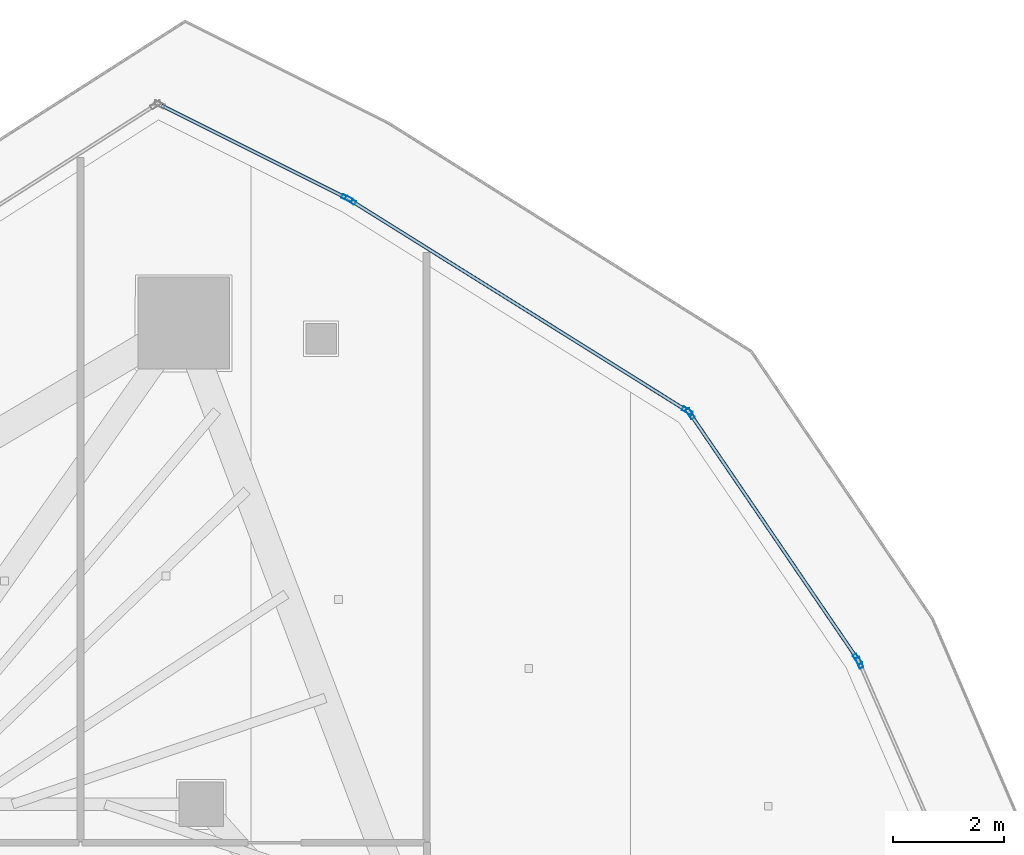
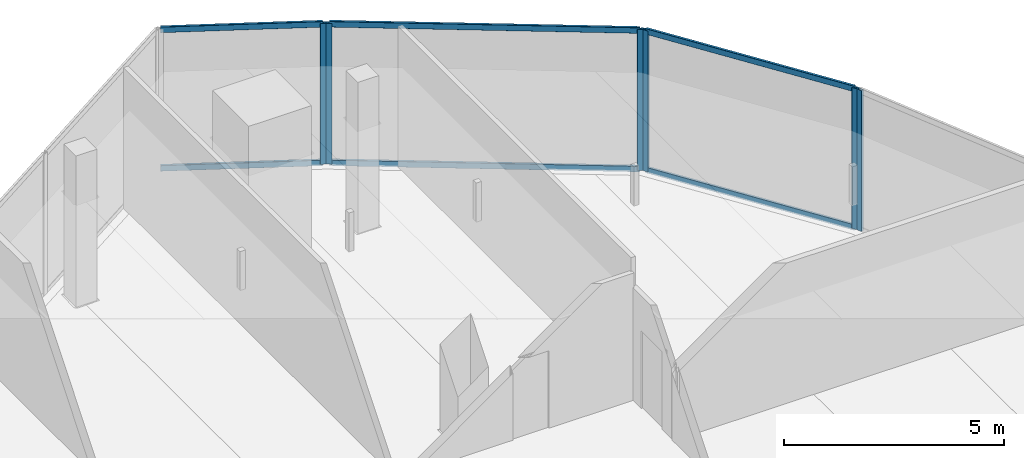
# One storey, part 21 of 36: 12 members, 4 elements without a shape of their own.
"""IFC4 building model written with IfcOpenShell, lengths in metres."""

from ifc_helpers import new_model, si_unit, direction, frame, origin, origin_2d, place, context, subcontext, project, spatial, hollow_rectangle, extrude, material, layer, layer_set, material_profile, profile_set, type_object, element, aggregate, save


model = new_model("IFC4")

# Units and contexts
model_context = context("Model", 3, precision=1e-05, world=origin(), true_north=direction((0.0, 1.0)))
body_context = subcontext(model_context, "Body", "Model", "MODEL_VIEW")
ifc_project = project(units=[si_unit("LENGTHUNIT", "METRE"), si_unit("AREAUNIT", "SQUARE_METRE"), si_unit("VOLUMEUNIT", "CUBIC_METRE"), si_unit("PLANEANGLEUNIT", "RADIAN"), si_unit("MASSUNIT", "GRAM", prefix="KILO")], contexts=[model_context])

# Site, building, storey
site_placement = place(None, origin())
site = spatial("IfcSite", under=ifc_project, at=site_placement, CompositionType="ELEMENT")
building_placement = place(site_placement, origin())
building = spatial("IfcBuilding", under=site, at=building_placement, Name="Qorvath Tower", CompositionType="ELEMENT")
storey_placement = place(building_placement, frame((0.0, 0.0, 272.39990234375)))
storey = spatial("IfcBuildingStorey", under=building, at=storey_placement, Name="L63", CompositionType="ELEMENT", Elevation=272.39990234375)

# Curtain wall, member
ifc_material_1 = material(Name="Anodised aluminium and triple low-E glass", Category="aluminium")
ifc_layer = layer(ifc_material_1, 0.179931640625)
ifc_layer_set = layer_set([ifc_layer], Name="CW-SYS-4")
curtain_wall_type = type_object("IfcCurtainWallType", Name="CW-SYS-4", PredefinedType="NOTDEFINED", material=ifc_layer_set)
curtain_wall_1_placement = place(storey_placement, origin())
curtain_wall_1 = element("IfcCurtainWall", 1, at=curtain_wall_1_placement, inside=storey, type_object=curtain_wall_type, Name="Curtain Wall CW-4 CW-T-L63-12.1", PredefinedType="NOTDEFINED")
ifc_material_2 = material(Name="Anodised aluminium 6063-T6", Category="aluminium")
ifc_material_profile_1 = material_profile(ifc_material_2, hollow_rectangle(XDim=0.074951171875, YDim=0.199951171875, WallThickness=0.00390625, InnerFilletRadius=0.00390625, OuterFilletRadius=0.008056640625, at=origin_2d()), Name="CWM 200x75")
ifc_profile_set_1 = profile_set([ifc_material_profile_1], Name="Anodised aluminium 6063-T6")
member_type_1 = type_object("IfcMemberType", Name="CWM-200", PredefinedType="MULLION", material=ifc_profile_set_1)
member_1_placement = place(storey_placement, frame((-5.365966796875, 13.994384765625, 0.0), z_axis=(0.0, 0.0, 1.0), x_axis=(-0.91655883173, -0.399899872441, 0.0)))
member_1 = element("IfcMember", 2, at=member_1_placement, type_object=member_type_1, Name="CW-4 mullion 2", PredefinedType="MULLION", context=body_context, shape_type="SweptSolid", body=[
    extrude(hollow_rectangle(XDim=0.074951171875, YDim=0.199951171875, WallThickness=0.00390625, InnerFilletRadius=0.00390625, OuterFilletRadius=0.008056640625, at=origin_2d()), origin(), (0.0, 0.0, 1.0), 3.91015625),
])
aggregate(curtain_wall_1, [member_1])

# Curtain wall, members
curtain_wall_2_placement = place(storey_placement, origin())
curtain_wall_2 = element("IfcCurtainWall", 3, at=curtain_wall_2_placement, inside=storey, type_object=curtain_wall_type, Name="Curtain Wall CW-4 CW-T-L63-13.1", PredefinedType="NOTDEFINED")
member_2_placement = place(storey_placement, frame((-5.402099609375, 14.059814453125, 0.0), z_axis=(0.0, 0.0, 1.0), x_axis=(-0.826318799643, -0.56320266455, 0.0)))
member_2 = element("IfcMember", 4, at=member_2_placement, type_object=member_type_1, Name="CW-4 mullion 1", PredefinedType="MULLION", context=body_context, shape_type="SweptSolid", body=[
    extrude(hollow_rectangle(XDim=0.074951171875, YDim=0.199951171875, WallThickness=0.00390625, InnerFilletRadius=0.00390625, OuterFilletRadius=0.008056640625, at=origin_2d()), origin(), (0.0, 0.0, 1.0), 3.91015625),
])
member_3_placement = place(storey_placement, frame((-8.407958984375, 18.47021484375, 0.0), z_axis=(0.0, 0.0, 1.0), x_axis=(-0.826318799643, -0.56320266455, 0.0)))
member_3 = element("IfcMember", 5, at=member_3_placement, type_object=member_type_1, Name="CW-4 mullion 2", PredefinedType="MULLION", context=body_context, shape_type="SweptSolid", body=[
    extrude(hollow_rectangle(XDim=0.074951171875, YDim=0.199951171875, WallThickness=0.00390625, InnerFilletRadius=0.00390625, OuterFilletRadius=0.008056640625, at=origin_2d()), origin(), (0.0, 0.0, 1.0), 3.91015625),
])

curtain_wall_3_placement = place(storey_placement, origin())
curtain_wall_3 = element("IfcCurtainWall", 6, at=curtain_wall_3_placement, inside=storey, type_object=curtain_wall_type, Name="Curtain Wall CW-4 CW-T-L63-14.1", PredefinedType="NOTDEFINED")
member_4_placement = place(storey_placement, frame((-8.4609375, 18.52099609375, 0.0), z_axis=(0.0, 0.0, 1.0), x_axis=(-0.530362503391, -0.84777096848, 0.0)))
member_4 = element("IfcMember", 7, at=member_4_placement, type_object=member_type_1, Name="CW-4 mullion 1", PredefinedType="MULLION", context=body_context, shape_type="SweptSolid", body=[
    extrude(hollow_rectangle(XDim=0.074951171875, YDim=0.199951171875, WallThickness=0.00390625, InnerFilletRadius=0.00390625, OuterFilletRadius=0.008056640625, at=origin_2d()), origin(), (0.0, 0.0, 1.0), 3.91015625),
])
member_5_placement = place(storey_placement, frame((-14.51708984375, 22.309814453125, 0.0), z_axis=(0.0, 0.0, 1.0), x_axis=(-0.530362503391, -0.84777096848, 0.0)))
member_5 = element("IfcMember", 8, at=member_5_placement, type_object=member_type_1, Name="CW-4 mullion 2", PredefinedType="MULLION", context=body_context, shape_type="SweptSolid", body=[
    extrude(hollow_rectangle(XDim=0.074951171875, YDim=0.199951171875, WallThickness=0.00390625, InnerFilletRadius=0.00390625, OuterFilletRadius=0.008056640625, at=origin_2d()), origin(), (0.0, 0.0, 1.0), 3.91015625),
])

# Curtain wall, member
curtain_wall_4_placement = place(storey_placement, origin())
curtain_wall_4 = element("IfcCurtainWall", 9, at=curtain_wall_4_placement, inside=storey, type_object=curtain_wall_type, Name="Curtain Wall CW-4 CW-T-L63-15.1", PredefinedType="NOTDEFINED")
member_6_placement = place(storey_placement, frame((-14.582275390625, 22.346435546875, 0.0), z_axis=(0.0, 0.0, 1.0), x_axis=(-0.447244838324, -0.894411568906, 0.0)))
member_6 = element("IfcMember", 10, at=member_6_placement, type_object=member_type_1, Name="CW-4 mullion 1", PredefinedType="MULLION", context=body_context, shape_type="SweptSolid", body=[
    extrude(hollow_rectangle(XDim=0.074951171875, YDim=0.199951171875, WallThickness=0.00390625, InnerFilletRadius=0.00390625, OuterFilletRadius=0.008056640625, at=origin_2d()), origin(), (0.0, 0.0, 1.0), 3.91015625),
])

# Member
ifc_material_3 = material(Name="Anodised aluminium 6063-T6", Category="aluminium")
ifc_material_profile_2 = material_profile(ifc_material_3, hollow_rectangle(XDim=0.06494140625, YDim=0.159912109375, WallThickness=0.00341796875, InnerFilletRadius=0.00341796875, OuterFilletRadius=0.007080078125, at=origin_2d()), Name="CWT 160x65")
ifc_profile_set_2 = profile_set([ifc_material_profile_2], Name="Anodised aluminium 6063-T6")
member_type_2 = type_object("IfcMemberType", Name="CWT-160", PredefinedType="USERDEFINED", material=ifc_profile_set_2)
member_7_placement = place(storey_placement, frame((-5.423095703125, 14.0908203125, 0.032470703125), z_axis=(-0.563214455362, 0.826310763134, 0.0), x_axis=(-0.826310763134, -0.563214455362, 0.0)))
member_7 = element("IfcMember", 11, at=member_7_placement, type_object=member_type_2, Name="CW-4 transom 1.1", ObjectType="TRANSOM", PredefinedType="USERDEFINED", context=body_context, shape_type="SweptSolid", body=[
    extrude(hollow_rectangle(XDim=0.06494140625, YDim=0.159912109375, WallThickness=0.00341796875, InnerFilletRadius=0.00341796875, OuterFilletRadius=0.007080078125, at=origin_2d()), origin(), (0.0, 0.0, 1.0), 5.262451171875),
])

member_8_placement = place(storey_placement, frame((-5.423095703125, 14.0908203125, 3.877685546875), z_axis=(-0.563214455362, 0.826310763134, 0.0), x_axis=(-0.826310763134, -0.563214455362, 0.0)))
member_8 = element("IfcMember", 12, at=member_8_placement, type_object=member_type_2, Name="CW-4 transom 1.2", ObjectType="TRANSOM", PredefinedType="USERDEFINED", context=body_context, shape_type="SweptSolid", body=[
    extrude(hollow_rectangle(XDim=0.06494140625, YDim=0.159912109375, WallThickness=0.00341796875, InnerFilletRadius=0.00341796875, OuterFilletRadius=0.007080078125, at=origin_2d()), origin(), (0.0, 0.0, 1.0), 5.262451171875),
])

aggregate(curtain_wall_2, [member_2, member_3, member_7, member_8])

member_9_placement = place(storey_placement, frame((-8.49267578125, 18.541015625, 0.032470703125), z_axis=(-0.847775079583, 0.53035593184, 0.0), x_axis=(-0.53035593184, -0.847775079583, 0.0)))
member_9 = element("IfcMember", 13, at=member_9_placement, type_object=member_type_2, Name="CW-4 transom 1.1", ObjectType="TRANSOM", PredefinedType="USERDEFINED", context=body_context, shape_type="SweptSolid", body=[
    extrude(hollow_rectangle(XDim=0.06494140625, YDim=0.159912109375, WallThickness=0.00341796875, InnerFilletRadius=0.00341796875, OuterFilletRadius=0.007080078125, at=origin_2d()), origin(), (0.0, 0.0, 1.0), 7.068359375),
])

member_10_placement = place(storey_placement, frame((-8.49267578125, 18.541015625, 3.877685546875), z_axis=(-0.847775079583, 0.53035593184, 0.0), x_axis=(-0.53035593184, -0.847775079583, 0.0)))
member_10 = element("IfcMember", 14, at=member_10_placement, type_object=member_type_2, Name="CW-4 transom 1.2", ObjectType="TRANSOM", PredefinedType="USERDEFINED", context=body_context, shape_type="SweptSolid", body=[
    extrude(hollow_rectangle(XDim=0.06494140625, YDim=0.159912109375, WallThickness=0.00341796875, InnerFilletRadius=0.00341796875, OuterFilletRadius=0.007080078125, at=origin_2d()), origin(), (0.0, 0.0, 1.0), 7.068359375),
])

aggregate(curtain_wall_3, [member_4, member_5, member_9, member_10])

member_11_placement = place(storey_placement, frame((-14.615966796875, 22.363037109375, 0.032470703125), z_axis=(-0.89438749866, 0.447292971373, 0.0), x_axis=(-0.447292971373, -0.89438749866, 0.0)))
member_11 = element("IfcMember", 15, at=member_11_placement, type_object=member_type_2, Name="CW-4 transom 1.1", ObjectType="TRANSOM", PredefinedType="USERDEFINED", context=body_context, shape_type="SweptSolid", body=[
    extrude(hollow_rectangle(XDim=0.06494140625, YDim=0.159912109375, WallThickness=0.00341796875, InnerFilletRadius=0.00341796875, OuterFilletRadius=0.007080078125, at=origin_2d()), origin(), (0.0, 0.0, 1.0), 3.69091796875),
])

member_12_placement = place(storey_placement, frame((-14.615966796875, 22.363037109375, 3.877685546875), z_axis=(-0.89438749866, 0.447292971373, 0.0), x_axis=(-0.447292971373, -0.89438749866, 0.0)))
member_12 = element("IfcMember", 16, at=member_12_placement, type_object=member_type_2, Name="CW-4 transom 1.2", ObjectType="TRANSOM", PredefinedType="USERDEFINED", context=body_context, shape_type="SweptSolid", body=[
    extrude(hollow_rectangle(XDim=0.06494140625, YDim=0.159912109375, WallThickness=0.00341796875, InnerFilletRadius=0.00341796875, OuterFilletRadius=0.007080078125, at=origin_2d()), origin(), (0.0, 0.0, 1.0), 3.69091796875),
])

aggregate(curtain_wall_4, [member_6, member_11, member_12])

save(model, "model.ifc")
